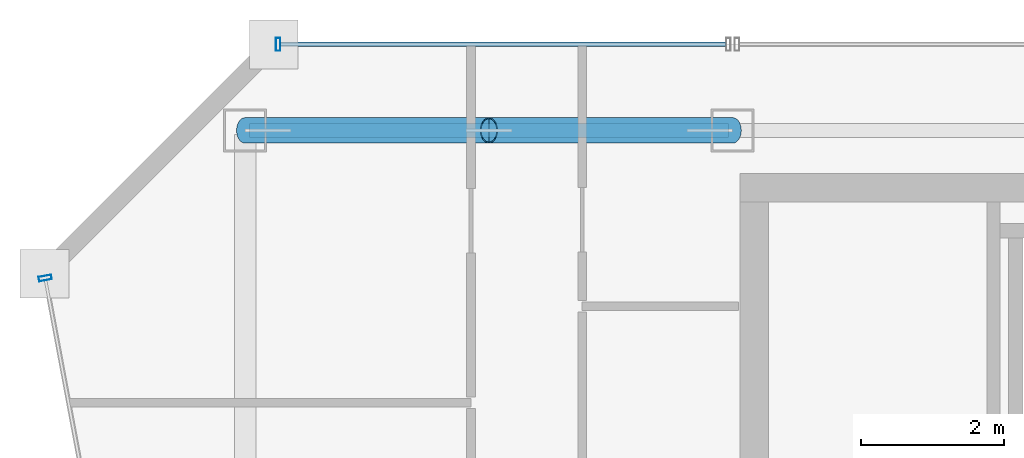
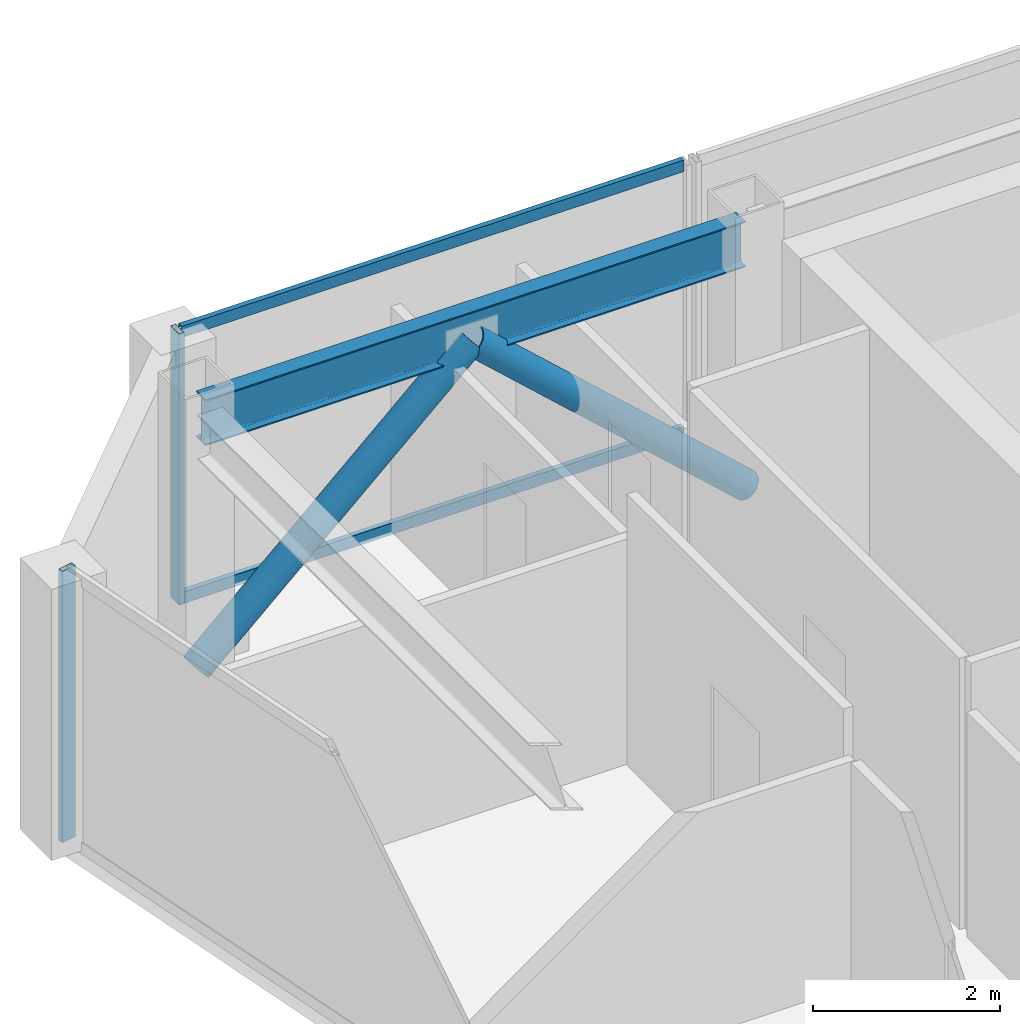
# One storey, part 8 of 23: 6 members, 1 beam, 2 elements without a shape of their own.
"""IFC4 building model written with IfcOpenShell, lengths in metres."""

from ifc_helpers import new_model, si_unit, direction, frame, origin, origin_2d, place, context, subcontext, project, spatial, hollow_rectangle, hollow_circle, i_section, extrude, material, material_profile, profile_set, type_object, element, aggregate, save


model = new_model("IFC4")

# Units and contexts
model_context = context("Model", 3, precision=1e-05, world=origin(), true_north=direction((0.0, 1.0)))
body_context = subcontext(model_context, "Body", "Model", "MODEL_VIEW")
ifc_project = project(units=[si_unit("LENGTHUNIT", "METRE"), si_unit("AREAUNIT", "SQUARE_METRE"), si_unit("VOLUMEUNIT", "CUBIC_METRE"), si_unit("PLANEANGLEUNIT", "RADIAN"), si_unit("MASSUNIT", "GRAM", prefix="KILO")], contexts=[model_context])

# Site, building, storey
site_placement = place(None, origin())
site = spatial("IfcSite", under=ifc_project, at=site_placement, CompositionType="ELEMENT")
building_placement = place(site_placement, origin())
building = spatial("IfcBuilding", under=site, at=building_placement, Name="Saevonmaru Cultural Tower", CompositionType="ELEMENT")
storey_placement = place(building_placement, frame((0.0, 0.0, 283.800048828125)))
storey = spatial("IfcBuildingStorey", under=building, at=storey_placement, Name="L67", CompositionType="ELEMENT", Elevation=283.800048828125)

# Beam
ifc_material_1 = material(Name="Steel SM355", Category="steel")
ifc_material_profile_1 = material_profile(ifc_material_1, i_section(OverallWidth=0.199951171875, OverallDepth=0.60009765625, WebThickness=0.010986328125, FlangeThickness=0.01708984375, FilletRadius=0.02197265625, at=origin_2d()), Name="H-600x200x11x17")
ifc_profile_set_1 = profile_set([ifc_material_profile_1], Name="Steel SM355")
beam_type = type_object("IfcBeamType", Name="BM-SP-H600", PredefinedType="SPANDREL", material=ifc_profile_set_1)
beam_placement = place(storey_placement, frame((6.860107421875, 54.800048828125, 3.25), z_axis=(1.0, 0.0, 0.0), x_axis=(0.0, 1.0, 0.0)))
element("IfcBeam", 1, at=beam_placement, inside=storey, type_object=beam_type, Name="L67 North Spine Girder 1", PredefinedType="SPANDREL", context=body_context, shape_type="SweptSolid", body=[
    extrude(i_section(OverallWidth=0.199951171875, OverallDepth=0.60009765625, WebThickness=0.010986328125, FlangeThickness=0.01708984375, FilletRadius=0.02197265625, at=origin_2d()), origin(), (0.0, 0.0, 1.0), 6.679931640625),
])

# Members
ifc_material_profile_2 = material_profile(ifc_material_1, hollow_circle(Radius=0.177734375, WallThickness=0.01611328125, at=origin_2d()), Name="CHS-355.6x16")
ifc_profile_set_2 = profile_set([ifc_material_profile_2], Name="Steel SM355")
member_type_1 = type_object("IfcMemberType", Name="MB-PBR-CHS356", PredefinedType="BRACE", material=ifc_profile_set_2)
member_1_placement = place(storey_placement, frame((6.800048828125, 54.800048828125, 0.02001953125), z_axis=(0.738962060105, 0.0, 0.673747039864), x_axis=(0.0, 1.0, 0.0)))
element("IfcMember", 2, at=member_1_placement, inside=storey, type_object=member_type_1, Name="L67 Perimeter Braced-Tube Diagonal WN1", PredefinedType="BRACE", context=body_context, shape_type="SweptSolid", body=[
    extrude(hollow_circle(Radius=0.177734375, WallThickness=0.01611328125, at=origin_2d()), origin(), (0.0, 0.0, 1.0), 4.600830078125),
])
member_2_placement = place(storey_placement, frame((13.60009765625, 54.800048828125, 0.02001953125), z_axis=(-0.738986146064, 0.0, 0.673720621568), x_axis=(0.0, -1.0, 0.0)))
element("IfcMember", 3, at=member_2_placement, inside=storey, type_object=member_type_1, Name="L67 Perimeter Braced-Tube Diagonal WN2", PredefinedType="BRACE", context=body_context, shape_type="SweptSolid", body=[
    extrude(hollow_circle(Radius=0.177734375, WallThickness=0.01611328125, at=origin_2d()), origin(), (0.0, 0.0, 1.0), 4.60107421875),
])

# Curtain wall, member
ifc_material_2 = material(Name="Satin Bronze Anodised Aluminium", Category="aluminium")
curtain_wall_type = type_object("IfcCurtainWallType", Name="CW-TYP-B", PredefinedType="NOTDEFINED", material=ifc_material_2)
curtain_wall_1_placement = place(storey_placement, origin())
curtain_wall_1 = element("IfcCurtainWall", 4, at=curtain_wall_1_placement, inside=storey, type_object=curtain_wall_type, Name="L67 West Braced Bay Spandrel Curtain Wall E10C", PredefinedType="NOTDEFINED")
ifc_material_profile_3 = material_profile(ifc_material_2, hollow_rectangle(XDim=0.06494140625, YDim=0.179931640625, WallThickness=0.00390625, at=origin_2d()), Name="ALU-MULL-180x65x4")
ifc_profile_set_3 = profile_set([ifc_material_profile_3], Name="Satin Bronze Anodised Aluminium")
member_type_2 = type_object("IfcMemberType", Name="ML-CW-180x65", PredefinedType="MULLION", material=ifc_profile_set_3)
member_3_placement = place(storey_placement, frame((7.260009765625, 56.0, 0.0), z_axis=(0.0, 0.0, 1.0), x_axis=(-1.0, 0.0, 0.0)))
member_3 = element("IfcMember", 5, at=member_3_placement, type_object=member_type_2, Name="CW-TW-L67-E10C mullion 2", PredefinedType="MULLION", context=body_context, shape_type="SweptSolid", body=[
    extrude(hollow_rectangle(XDim=0.06494140625, YDim=0.179931640625, WallThickness=0.00390625, at=origin_2d()), origin(), (0.0, 0.0, 1.0), 3.550048828125),
])

curtain_wall_2_placement = place(storey_placement, origin())
curtain_wall_2 = element("IfcCurtainWall", 6, at=curtain_wall_2_placement, inside=storey, type_object=curtain_wall_type, Name="L67 Unitised Curtain Wall E12", PredefinedType="NOTDEFINED")
member_4_placement = place(storey_placement, frame((4.010986328125, 52.740966796875, 0.0), z_axis=(0.0, 0.0, 1.0), x_axis=(0.184046528232, -0.982917532373, 0.0)))
member_4 = element("IfcMember", 7, at=member_4_placement, type_object=member_type_2, Name="CW-TW-L67-E12 mullion 1", PredefinedType="MULLION", context=body_context, shape_type="SweptSolid", body=[
    extrude(hollow_rectangle(XDim=0.06494140625, YDim=0.179931640625, WallThickness=0.00390625, at=origin_2d()), origin(), (0.0, 0.0, 1.0), 3.550048828125),
])
aggregate(curtain_wall_2, [member_4])

# Member
ifc_material_profile_4 = material_profile(ifc_material_2, hollow_rectangle(XDim=0.06494140625, YDim=0.14990234375, WallThickness=0.00390625, at=origin_2d()), Name="ALU-TRAN-150x65x4")
ifc_profile_set_4 = profile_set([ifc_material_profile_4], Name="Satin Bronze Anodised Aluminium")
member_type_3 = type_object("IfcMemberType", Name="TR-CW-150x65", PredefinedType="USERDEFINED", material=ifc_profile_set_4)
member_5_placement = place(storey_placement, frame((13.507568359375, 56.0, 0.032470703125), z_axis=(-1.0, 0.0, 0.0), x_axis=(0.0, -1.0, 0.0)))
member_5 = element("IfcMember", 8, at=member_5_placement, type_object=member_type_3, Name="CW-TW-L67-E10C transom 1.1", ObjectType="TRANSOM", PredefinedType="USERDEFINED", context=body_context, shape_type="SweptSolid", body=[
    extrude(hollow_rectangle(XDim=0.06494140625, YDim=0.14990234375, WallThickness=0.00390625, at=origin_2d()), origin(), (0.0, 0.0, 1.0), 6.215087890625),
])

member_6_placement = place(storey_placement, frame((13.507568359375, 56.0, 3.517333984375), z_axis=(-1.0, 0.0, 0.0), x_axis=(0.0, -1.0, 0.0)))
member_6 = element("IfcMember", 9, at=member_6_placement, type_object=member_type_3, Name="CW-TW-L67-E10C transom 1.2", ObjectType="TRANSOM", PredefinedType="USERDEFINED", context=body_context, shape_type="SweptSolid", body=[
    extrude(hollow_rectangle(XDim=0.06494140625, YDim=0.14990234375, WallThickness=0.00390625, at=origin_2d()), origin(), (0.0, 0.0, 1.0), 6.215087890625),
])

aggregate(curtain_wall_1, [member_3, member_5, member_6])

save(model, "model.ifc")
